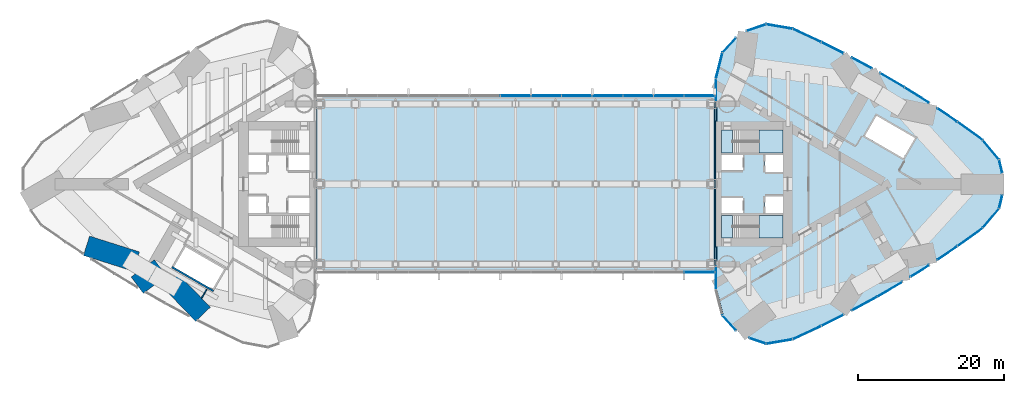
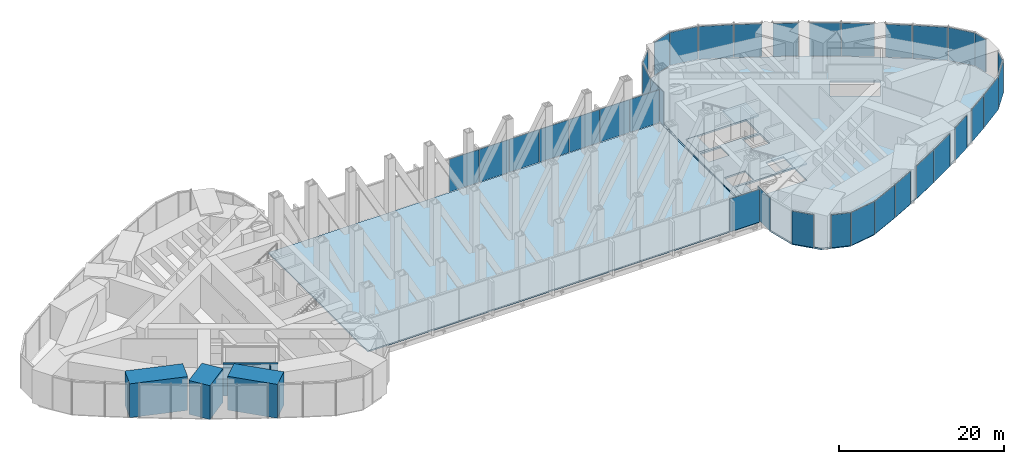
# One storey, part 15 of 21: 36 plates, 6 slabs, 5 walls, 14 elements without a shape of their own.
"""IFC4 building model written with IfcOpenShell, lengths in metres."""

from ifc_helpers import new_model, si_unit, direction, frame, frame_2d, origin, origin_2d, place, context, subcontext, project, spatial, polyline, rectangle, outline, extrude, material, layer, layer_set, type_object, element, aggregate, save


model = new_model("IFC4")

# Units and contexts
model_context = context("Model", 3, precision=1e-05, world=origin(), true_north=direction((0.0, 1.0)))
body_context = subcontext(model_context, "Body", "Model", "MODEL_VIEW")
ifc_project = project(units=[si_unit("LENGTHUNIT", "METRE"), si_unit("AREAUNIT", "SQUARE_METRE"), si_unit("VOLUMEUNIT", "CUBIC_METRE"), si_unit("PLANEANGLEUNIT", "RADIAN"), si_unit("MASSUNIT", "GRAM", prefix="KILO")], contexts=[model_context])

# Site, building, storey
site_placement = place(None, origin())
site = spatial("IfcSite", under=ifc_project, at=site_placement, CompositionType="ELEMENT")
building_placement = place(site_placement, origin())
building = spatial("IfcBuilding", under=site, at=building_placement, Name="Lancet Gate Hotel", CompositionType="ELEMENT")
storey_placement = place(building_placement, frame((0.0, 0.0, 205.300048828125)))
storey = spatial("IfcBuildingStorey", under=building, at=storey_placement, Name="L55", CompositionType="ELEMENT", Elevation=205.300048828125)

# Slabs
ifc_material_1 = material(Name="Concrete C40/50", Category="concrete")
ifc_layer_1 = layer(ifc_material_1, 0.199951171875)
ifc_layer_set_1 = layer_set([ifc_layer_1], Name="Composite floor slab 200")
slab_type_1 = type_object("IfcSlabType", Name="Composite floor slab 200", PredefinedType="FLOOR", material=ifc_layer_set_1)
slab_1_placement = place(storey_placement, frame((0.0, 0.0, -0.199951171875)))
element("IfcSlab", 1, at=slab_1_placement, inside=storey, type_object=slab_type_1, Name="Bridge block L55 floor slab", PredefinedType="FLOOR", context=body_context, shape_type="SweptSolid", body=[
    extrude(outline(polyline([(27.35009765625, -12.0), (27.35009765625, 12.0), (-27.35009765625, 12.0), (-27.35009765625, -12.0), (27.35009765625, -12.0)])), origin(), (0.0, 0.0, 1.0), 0.199951171875),
])
ifc_material_2 = material(Name="Concrete C50/60", Category="concrete")
ifc_layer_2 = layer(ifc_material_2, 0.25)
ifc_layer_set_2 = layer_set([ifc_layer_2], Name="Floor slab 250")
slab_type_2 = type_object("IfcSlabType", Name="Floor slab 250", PredefinedType="FLOOR", material=ifc_layer_set_2)
slab_2_placement = place(storey_placement, frame((0.0, 0.0, -0.25)))
element("IfcSlab", 2, at=slab_2_placement, inside=storey, type_object=slab_type_2, Name="T2 L55 floor slab", PredefinedType="FLOOR", context=body_context, shape_type="SweptSolid", body=[
    extrude(outline(polyline([(27.5, -8.60009765625), (27.6201171875, -8.60009765625), (27.6201171875, -14.450439453125), (28.517822265625, -17.9853515625), (30.98291015625, -20.65185546875), (34.421875, -21.819091796875), (38.01513671875, -21.201171875), (41.9296875, -19.383056640625), (45.796875, -17.435302734375), (49.6005859375, -15.36572265625), (53.336669921875, -13.1767578125), (57.00146484375, -10.87060546875), (60.591552734375, -8.44921875), (64.092041015625, -5.9228515625), (66.283447265625, -3.307373046875), (67.06640625, 0.0), (66.283447265625, 3.307373046875), (64.092041015625, 5.9228515625), (60.591552734375, 8.44921875), (57.00146484375, 10.87060546875), (53.336669921875, 13.1767578125), (49.6005859375, 15.36572265625), (45.796875, 17.435302734375), (41.9296875, 19.383056640625), (38.01513671875, 21.201171875), (34.421875, 21.819091796875), (30.98291015625, 20.65185546875), (28.517822265625, 17.9853515625), (27.6201171875, 14.450439453125), (27.6201171875, 8.60009765625), (27.5, 8.60009765625), (27.5, 8.199951171875), (27.5, -8.199951171875), (27.5, -8.60009765625)]), holes=[polyline([(36.699951171875, -7.39990234375), (36.699951171875, -4.300048828125), (28.300048828125, -4.300048828125), (28.300048828125, -7.39990234375), (36.699951171875, -7.39990234375)]), polyline([(28.300048828125, -4.0), (31.199951171875, -4.0), (31.199951171875, -1.89990234375), (28.300048828125, -1.89990234375), (28.300048828125, -4.0)]), polyline([(34.25, -4.0), (36.699951171875, -4.0), (36.699951171875, -1.64990234375), (34.25, -1.64990234375), (34.25, -4.0)]), polyline([(36.699951171875, 1.64990234375), (36.699951171875, 4.0), (34.25, 4.0), (34.25, 1.64990234375), (36.699951171875, 1.64990234375)]), polyline([(28.300048828125, 1.89990234375), (31.199951171875, 1.89990234375), (31.199951171875, 4.0), (28.300048828125, 4.0), (28.300048828125, 1.89990234375)]), polyline([(28.300048828125, 4.300048828125), (36.699951171875, 4.300048828125), (36.699951171875, 7.39990234375), (28.300048828125, 7.39990234375), (28.300048828125, 4.300048828125)]), polyline([(53.242919921875, 3.555908203125), (54.843017578125, 6.326904296875), (49.56103515625, 9.376953125), (47.9609375, 6.60595703125), (53.242919921875, 3.555908203125)])]), origin(), (0.0, 0.0, 1.0), 0.25),
])

# Curtain wall, plates
ifc_material_3 = material(Name="Aluminium curtain wall", Category="aluminium")
curtain_wall_type = type_object("IfcCurtainWallType", Name="Refuge storey louvred curtain wall", PredefinedType="USERDEFINED", material=ifc_material_3)
curtain_wall_1_placement = place(storey_placement, origin())
curtain_wall_1 = element("IfcCurtainWall", 3, at=curtain_wall_1_placement, inside=storey, type_object=curtain_wall_type, Name="T2 L55 curtain wall 1", ObjectType="LANTERN GLAZING", PredefinedType="USERDEFINED")
ifc_material_4 = material(Name="Aluminium weather louvre 100 deep", Category="aluminium")
ifc_layer_3 = layer(ifc_material_4, 0.10009765625)
ifc_layer_set_3 = layer_set([ifc_layer_3], Name="Louvre panel")
plate_type_1 = type_object("IfcPlateType", Name="Louvre panel", PredefinedType="CURTAIN_PANEL", material=ifc_layer_set_3)
plate_1_placement = place(storey_placement, frame((27.5, -12.899169921875, 0.0), z_axis=(0.0, 0.0, 1.0), x_axis=(0.0, -1.0, 0.0)))
plate_1 = element("IfcPlate", 4, at=plate_1_placement, type_object=plate_type_1, Name="T2 L55 curtain wall 1 panel 1", PredefinedType="CURTAIN_PANEL", context=body_context, shape_type="SweptSolid", body=[
    extrude(rectangle(XDim=3.06787109375, YDim=0.10009765625, at=origin_2d()), origin(), (0.0, 0.0, 1.0), 4.85009765625),
])
plate_2_placement = place(storey_placement, frame((29.359130859375, -19.072265625, 0.0), z_axis=(0.0, 0.0, 1.0), x_axis=(0.67883123083, -0.734294327943, 0.0)))
plate_2 = element("IfcPlate", 5, at=plate_2_placement, type_object=plate_type_1, Name="T2 L55 curtain wall 1 panel 3", PredefinedType="CURTAIN_PANEL", context=body_context, shape_type="SweptSolid", body=[
    extrude(rectangle(XDim=2.734375, YDim=0.10009765625, at=origin_2d()), origin(), (0.0, 0.0, 1.0), 4.85009765625),
])
aggregate(curtain_wall_1, [plate_1, plate_2])

curtain_wall_2_placement = place(storey_placement, origin())
curtain_wall_2 = element("IfcCurtainWall", 6, at=curtain_wall_2_placement, inside=storey, type_object=curtain_wall_type, Name="T2 L55 curtain wall 2", ObjectType="LANTERN GLAZING", PredefinedType="USERDEFINED")
plate_3_placement = place(storey_placement, frame((33.227294921875, -21.540283203125, 0.0), z_axis=(0.0, 0.0, 1.0), x_axis=(0.946952368511, -0.321373943827, 0.0)))
plate_3 = element("IfcPlate", 7, at=plate_3_placement, type_object=plate_type_1, Name="T2 L55 curtain wall 2 panel 1", PredefinedType="CURTAIN_PANEL", context=body_context, shape_type="SweptSolid", body=[
    extrude(rectangle(XDim=2.4375, YDim=0.10009765625, at=origin_2d()), origin(), (0.0, 0.0, 1.0), 4.85009765625),
])
plate_4_placement = place(storey_placement, frame((36.231689453125, -21.629638671875, 0.0), z_axis=(0.0, 0.0, 1.0), x_axis=(0.985539649572, 0.169444973729, 0.0)))
plate_4 = element("IfcPlate", 8, at=plate_4_placement, type_object=plate_type_1, Name="T2 L55 curtain wall 2 panel 2", PredefinedType="CURTAIN_PANEL", context=body_context, shape_type="SweptSolid", body=[
    extrude(rectangle(XDim=3.62744140625, YDim=0.10009765625, at=origin_2d()), origin(), (0.0, 0.0, 1.0), 4.85009765625),
])
plate_5_placement = place(storey_placement, frame((40.0166015625, -20.40380859375, 0.0), z_axis=(0.0, 0.0, 1.0), x_axis=(0.906934888522, 0.421270824982, 0.0)))
plate_5 = element("IfcPlate", 9, at=plate_5_placement, type_object=plate_type_1, Name="T2 L55 curtain wall 2 panel 3", PredefinedType="CURTAIN_PANEL", context=body_context, shape_type="SweptSolid", body=[
    extrude(rectangle(XDim=4.26904296875, YDim=0.10009765625, at=origin_2d()), origin(), (0.0, 0.0, 1.0), 4.85009765625),
])
plate_6_placement = place(storey_placement, frame((43.51318359375, -18.7197265625, 0.0), z_axis=(0.0, 0.0, 1.0), x_axis=(0.893121465596, 0.449815570752, 0.0)))
plate_6 = element("IfcPlate", 10, at=plate_6_placement, type_object=plate_type_1, Name="T2 L55 curtain wall 2 panel 4", PredefinedType="CURTAIN_PANEL", context=body_context, shape_type="SweptSolid", body=[
    extrude(rectangle(XDim=3.364013671875, YDim=0.10009765625, at=origin_2d()), origin(), (0.0, 0.0, 1.0), 4.85009765625),
])
aggregate(curtain_wall_2, [plate_3, plate_4, plate_5, plate_6])

curtain_wall_3_placement = place(storey_placement, origin())
curtain_wall_3 = element("IfcCurtainWall", 11, at=curtain_wall_3_placement, inside=storey, type_object=curtain_wall_type, Name="T2 L55 curtain wall 3", ObjectType="LANTERN GLAZING", PredefinedType="USERDEFINED")
plate_7_placement = place(storey_placement, frame((47.9228515625, -16.415283203125, 0.0), z_axis=(0.0, 0.0, 1.0), x_axis=(0.878409907967, 0.477907976063, 0.0)))
plate_7 = element("IfcPlate", 12, at=plate_7_placement, type_object=plate_type_1, Name="T2 L55 curtain wall 3 panel 1", PredefinedType="CURTAIN_PANEL", context=body_context, shape_type="SweptSolid", body=[
    extrude(rectangle(XDim=3.88916015625, YDim=0.10009765625, at=origin_2d()), origin(), (0.0, 0.0, 1.0), 4.85009765625),
])
plate_8_placement = place(storey_placement, frame((51.387451171875, -14.4580078125, 0.0), z_axis=(0.0, 0.0, 1.0), x_axis=(0.862815009772, 0.505519790822, 0.0)))
plate_8 = element("IfcPlate", 13, at=plate_8_placement, type_object=plate_type_1, Name="T2 L55 curtain wall 3 panel 2", PredefinedType="CURTAIN_PANEL", context=body_context, shape_type="SweptSolid", body=[
    extrude(rectangle(XDim=3.93994140625, YDim=0.10009765625, at=origin_2d()), origin(), (0.0, 0.0, 1.0), 4.85009765625),
])
aggregate(curtain_wall_3, [plate_7, plate_8])

# Curtain wall, plate
curtain_wall_4_placement = place(storey_placement, origin())
curtain_wall_4 = element("IfcCurtainWall", 14, at=curtain_wall_4_placement, inside=storey, type_object=curtain_wall_type, Name="T2 L55 curtain wall 4", ObjectType="LANTERN GLAZING", PredefinedType="USERDEFINED")
plate_9_placement = place(storey_placement, frame((55.51806640625, -11.946044921875, 0.0), z_axis=(0.0, 0.0, 1.0), x_axis=(0.846352453444, 0.532623248225, 0.0)))
plate_9 = element("IfcPlate", 15, at=plate_9_placement, type_object=plate_type_1, Name="T2 L55 curtain wall 4 panel 1", PredefinedType="CURTAIN_PANEL", context=body_context, shape_type="SweptSolid", body=[
    extrude(rectangle(XDim=3.002197265625, YDim=0.10009765625, at=origin_2d()), origin(), (0.0, 0.0, 1.0), 4.85009765625),
])
aggregate(curtain_wall_4, [plate_9])

# Curtain wall, plates
curtain_wall_5_placement = place(storey_placement, origin())
curtain_wall_5 = element("IfcCurtainWall", 16, at=curtain_wall_5_placement, inside=storey, type_object=curtain_wall_type, Name="T2 L55 curtain wall 5", ObjectType="LANTERN GLAZING", PredefinedType="USERDEFINED")
plate_10_placement = place(storey_placement, frame((59.283447265625, -9.47607421875, 0.0), z_axis=(0.0, 0.0, 1.0), x_axis=(0.829038793948, 0.559191092677, 0.0)))
plate_10 = element("IfcPlate", 17, at=plate_10_placement, type_object=plate_type_1, Name="T2 L55 curtain wall 5 panel 1", PredefinedType="CURTAIN_PANEL", context=body_context, shape_type="SweptSolid", body=[
    extrude(rectangle(XDim=3.256103515625, YDim=0.10009765625, at=origin_2d()), origin(), (0.0, 0.0, 1.0), 4.85009765625),
])
plate_11_placement = place(storey_placement, frame((62.417236328125, -7.279541015625, 0.0), z_axis=(0.0, 0.0, 1.0), x_axis=(0.810891442127, 0.585196607206, 0.0)))
plate_11 = element("IfcPlate", 18, at=plate_11_placement, type_object=plate_type_1, Name="T2 L55 curtain wall 5 panel 2", PredefinedType="CURTAIN_PANEL", context=body_context, shape_type="SweptSolid", body=[
    extrude(rectangle(XDim=4.26904296875, YDim=0.10009765625, at=origin_2d()), origin(), (0.0, 0.0, 1.0), 4.85009765625),
])
plate_12_placement = place(storey_placement, frame((65.283935546875, -4.68701171875, 0.0), z_axis=(0.0, 0.0, 1.0), x_axis=(0.642198636854, 0.766538264422, 0.0)))
plate_12 = element("IfcPlate", 19, at=plate_12_placement, type_object=plate_type_1, Name="T2 L55 curtain wall 5 panel 3", PredefinedType="CURTAIN_PANEL", context=body_context, shape_type="SweptSolid", body=[
    extrude(rectangle(XDim=3.390380859375, YDim=0.10009765625, at=origin_2d()), origin(), (0.0, 0.0, 1.0), 4.85009765625),
])
plate_13_placement = place(storey_placement, frame((66.616455078125, -2.42138671875, 0.0), z_axis=(0.0, 0.0, 1.0), x_axis=(0.230366568544, 0.973103922558, 0.0)))
plate_13 = element("IfcPlate", 20, at=plate_13_placement, type_object=plate_type_1, Name="T2 L55 curtain wall 5 panel 4", PredefinedType="CURTAIN_PANEL", context=body_context, shape_type="SweptSolid", body=[
    extrude(rectangle(XDim=1.869140625, YDim=0.10009765625, at=origin_2d()), origin(), (0.0, 0.0, 1.0), 4.85009765625),
])
aggregate(curtain_wall_5, [plate_10, plate_11, plate_12, plate_13])

curtain_wall_6_placement = place(storey_placement, origin())
curtain_wall_6 = element("IfcCurtainWall", 21, at=curtain_wall_6_placement, inside=storey, type_object=curtain_wall_type, Name="T2 L55 curtain wall 6", ObjectType="LANTERN GLAZING", PredefinedType="USERDEFINED")
plate_14_placement = place(storey_placement, frame((66.616455078125, 2.42138671875, 0.0), z_axis=(0.0, 0.0, 1.0), x_axis=(-0.230366568544, 0.973103922558, 0.0)))
plate_14 = element("IfcPlate", 22, at=plate_14_placement, type_object=plate_type_1, Name="T2 L55 curtain wall 6 panel 1", PredefinedType="CURTAIN_PANEL", context=body_context, shape_type="SweptSolid", body=[
    extrude(rectangle(XDim=1.869140625, YDim=0.10009765625, at=origin_2d()), origin(), (0.0, 0.0, 1.0), 4.85009765625),
])
plate_15_placement = place(storey_placement, frame((65.283935546875, 4.68701171875, 0.0), z_axis=(0.0, 0.0, 1.0), x_axis=(-0.642198636854, 0.766538264422, 0.0)))
plate_15 = element("IfcPlate", 23, at=plate_15_placement, type_object=plate_type_1, Name="T2 L55 curtain wall 6 panel 2", PredefinedType="CURTAIN_PANEL", context=body_context, shape_type="SweptSolid", body=[
    extrude(rectangle(XDim=3.390380859375, YDim=0.10009765625, at=origin_2d()), origin(), (0.0, 0.0, 1.0), 4.85009765625),
])
plate_16_placement = place(storey_placement, frame((62.417236328125, 7.279541015625, 0.0), z_axis=(0.0, 0.0, 1.0), x_axis=(-0.810891442127, 0.585196607206, 0.0)))
plate_16 = element("IfcPlate", 24, at=plate_16_placement, type_object=plate_type_1, Name="T2 L55 curtain wall 6 panel 3", PredefinedType="CURTAIN_PANEL", context=body_context, shape_type="SweptSolid", body=[
    extrude(rectangle(XDim=4.26904296875, YDim=0.10009765625, at=origin_2d()), origin(), (0.0, 0.0, 1.0), 4.85009765625),
])
plate_17_placement = place(storey_placement, frame((59.283447265625, 9.47607421875, 0.0), z_axis=(0.0, 0.0, 1.0), x_axis=(-0.829038793948, 0.559191092677, 0.0)))
plate_17 = element("IfcPlate", 25, at=plate_17_placement, type_object=plate_type_1, Name="T2 L55 curtain wall 6 panel 4", PredefinedType="CURTAIN_PANEL", context=body_context, shape_type="SweptSolid", body=[
    extrude(rectangle(XDim=3.256103515625, YDim=0.10009765625, at=origin_2d()), origin(), (0.0, 0.0, 1.0), 4.85009765625),
])
aggregate(curtain_wall_6, [plate_14, plate_15, plate_16, plate_17])

curtain_wall_7_placement = place(storey_placement, origin())
curtain_wall_7 = element("IfcCurtainWall", 26, at=curtain_wall_7_placement, inside=storey, type_object=curtain_wall_type, Name="T2 L55 curtain wall 7", ObjectType="LANTERN GLAZING", PredefinedType="USERDEFINED")
plate_18_placement = place(storey_placement, frame((55.107421875, 12.204345703125, 0.0), z_axis=(0.0, 0.0, 1.0), x_axis=(-0.846352453444, 0.532623248225, 0.0)))
plate_18 = element("IfcPlate", 27, at=plate_18_placement, type_object=plate_type_1, Name="T2 L55 curtain wall 7 panel 1", PredefinedType="CURTAIN_PANEL", context=body_context, shape_type="SweptSolid", body=[
    extrude(rectangle(XDim=3.97216796875, YDim=0.10009765625, at=origin_2d()), origin(), (0.0, 0.0, 1.0), 4.85009765625),
])
plate_19_placement = place(storey_placement, frame((51.726318359375, 14.259521484375, 0.0), z_axis=(0.0, 0.0, 1.0), x_axis=(-0.862815009772, 0.505519790822, 0.0)))
plate_19 = element("IfcPlate", 28, at=plate_19_placement, type_object=plate_type_1, Name="T2 L55 curtain wall 7 panel 2", PredefinedType="CURTAIN_PANEL", context=body_context, shape_type="SweptSolid", body=[
    extrude(rectangle(XDim=3.8125, YDim=0.10009765625, at=origin_2d()), origin(), (0.0, 0.0, 1.0), 4.85009765625),
])
aggregate(curtain_wall_7, [plate_18, plate_19])

# Curtain wall, plate
curtain_wall_8_placement = place(storey_placement, origin())
curtain_wall_8 = element("IfcCurtainWall", 29, at=curtain_wall_8_placement, inside=storey, type_object=curtain_wall_type, Name="T2 L55 curtain wall 8", ObjectType="LANTERN GLAZING", PredefinedType="USERDEFINED")
plate_20_placement = place(storey_placement, frame((47.56640625, 16.609130859375, 0.0), z_axis=(0.0, 0.0, 1.0), x_axis=(-0.878409907967, 0.477907976063, 0.0)))
plate_20 = element("IfcPlate", 30, at=plate_20_placement, type_object=plate_type_1, Name="T2 L55 curtain wall 8 panel 1", PredefinedType="CURTAIN_PANEL", context=body_context, shape_type="SweptSolid", body=[
    extrude(rectangle(XDim=3.077392578125, YDim=0.10009765625, at=origin_2d()), origin(), (0.0, 0.0, 1.0), 4.85009765625),
])
aggregate(curtain_wall_8, [plate_20])

# Curtain wall, plates
curtain_wall_9_placement = place(storey_placement, origin())
curtain_wall_9 = element("IfcCurtainWall", 31, at=curtain_wall_9_placement, inside=storey, type_object=curtain_wall_type, Name="T2 L55 curtain wall 9", ObjectType="LANTERN GLAZING", PredefinedType="USERDEFINED")
plate_21_placement = place(storey_placement, frame((43.51318359375, 18.7197265625, 0.0), z_axis=(0.0, 0.0, 1.0), x_axis=(-0.893121465596, 0.449815570752, 0.0)))
plate_21 = element("IfcPlate", 32, at=plate_21_placement, type_object=plate_type_1, Name="T2 L55 curtain wall 9 panel 1", PredefinedType="CURTAIN_PANEL", context=body_context, shape_type="SweptSolid", body=[
    extrude(rectangle(XDim=3.364013671875, YDim=0.10009765625, at=origin_2d()), origin(), (0.0, 0.0, 1.0), 4.85009765625),
])
plate_22_placement = place(storey_placement, frame((40.0166015625, 20.40380859375, 0.0), z_axis=(0.0, 0.0, 1.0), x_axis=(-0.906934888522, 0.421270824982, 0.0)))
plate_22 = element("IfcPlate", 33, at=plate_22_placement, type_object=plate_type_1, Name="T2 L55 curtain wall 9 panel 2", PredefinedType="CURTAIN_PANEL", context=body_context, shape_type="SweptSolid", body=[
    extrude(rectangle(XDim=4.26904296875, YDim=0.10009765625, at=origin_2d()), origin(), (0.0, 0.0, 1.0), 4.85009765625),
])
plate_23_placement = place(storey_placement, frame((36.231689453125, 21.629638671875, 0.0), z_axis=(0.0, 0.0, 1.0), x_axis=(-0.985539649572, 0.169444973729, 0.0)))
plate_23 = element("IfcPlate", 34, at=plate_23_placement, type_object=plate_type_1, Name="T2 L55 curtain wall 9 panel 3", PredefinedType="CURTAIN_PANEL", context=body_context, shape_type="SweptSolid", body=[
    extrude(rectangle(XDim=3.62744140625, YDim=0.10009765625, at=origin_2d()), origin(), (0.0, 0.0, 1.0), 4.85009765625),
])
plate_24_placement = place(storey_placement, frame((33.05908203125, 21.483154296875, 0.0), z_axis=(0.0, 0.0, 1.0), x_axis=(-0.946952368511, -0.321373943827, 0.0)))
plate_24 = element("IfcPlate", 35, at=plate_24_placement, type_object=plate_type_1, Name="T2 L55 curtain wall 9 panel 4", PredefinedType="CURTAIN_PANEL", context=body_context, shape_type="SweptSolid", body=[
    extrude(rectangle(XDim=2.79296875, YDim=0.10009765625, at=origin_2d()), origin(), (0.0, 0.0, 1.0), 4.85009765625),
])
aggregate(curtain_wall_9, [plate_21, plate_22, plate_23, plate_24])

curtain_wall_10_placement = place(storey_placement, origin())
curtain_wall_10 = element("IfcCurtainWall", 36, at=curtain_wall_10_placement, inside=storey, type_object=curtain_wall_type, Name="T2 L55 curtain wall 10", ObjectType="LANTERN GLAZING", PredefinedType="USERDEFINED")
plate_25_placement = place(storey_placement, frame((29.349365234375, 19.0615234375, 0.0), z_axis=(0.0, 0.0, 1.0), x_axis=(-0.67883123083, -0.734294327943, 0.0)))
plate_25 = element("IfcPlate", 37, at=plate_25_placement, type_object=plate_type_1, Name="T2 L55 curtain wall 10 panel 1", PredefinedType="CURTAIN_PANEL", context=body_context, shape_type="SweptSolid", body=[
    extrude(rectangle(XDim=2.705322265625, YDim=0.10009765625, at=origin_2d()), origin(), (0.0, 0.0, 1.0), 4.85009765625),
])
plate_26_placement = place(storey_placement, frame((27.95458984375, 16.2548828125, 0.0), z_axis=(0.0, 0.0, 1.0), x_axis=(-0.246166705764, -0.969227503207, 0.0)))
plate_26 = element("IfcPlate", 38, at=plate_26_placement, type_object=plate_type_1, Name="T2 L55 curtain wall 10 panel 2", PredefinedType="CURTAIN_PANEL", context=body_context, shape_type="SweptSolid", body=[
    extrude(rectangle(XDim=3.62744140625, YDim=0.10009765625, at=origin_2d()), origin(), (0.0, 0.0, 1.0), 4.85009765625),
])
plate_27_placement = place(storey_placement, frame((27.5, 12.899169921875, 0.0), z_axis=(0.0, 0.0, 1.0), x_axis=(0.0, -1.0, 0.0)))
plate_27 = element("IfcPlate", 39, at=plate_27_placement, type_object=plate_type_1, Name="T2 L55 curtain wall 10 panel 3", PredefinedType="CURTAIN_PANEL", context=body_context, shape_type="SweptSolid", body=[
    extrude(rectangle(XDim=3.06787109375, YDim=0.10009765625, at=origin_2d()), origin(), (0.0, 0.0, 1.0), 4.85009765625),
])
aggregate(curtain_wall_10, [plate_25, plate_26, plate_27])

# Curtain wall, plate
curtain_wall_11_placement = place(storey_placement, origin())
curtain_wall_11 = element("IfcCurtainWall", 40, at=curtain_wall_11_placement, inside=storey, type_object=curtain_wall_type, Name="Bridge block L55 curtain wall S", ObjectType="LANTERN GLAZING", PredefinedType="USERDEFINED")
plate_28_placement = place(storey_placement, frame((25.24609375, -12.1201171875, 0.0), z_axis=(0.0, 0.0, 1.0), x_axis=(1.0, 0.0, 0.0)))
plate_28 = element("IfcPlate", 41, at=plate_28_placement, type_object=plate_type_1, Name="Bridge block L55 curtain wall S panel 13", PredefinedType="CURTAIN_PANEL", context=body_context, shape_type="SweptSolid", body=[
    extrude(rectangle(XDim=4.142578125, YDim=0.10009765625, at=origin_2d()), origin(), (0.0, 0.0, 1.0), 4.85009765625),
])
aggregate(curtain_wall_11, [plate_28])

# Curtain wall, plates
curtain_wall_12_placement = place(storey_placement, origin())
curtain_wall_12 = element("IfcCurtainWall", 42, at=curtain_wall_12_placement, inside=storey, type_object=curtain_wall_type, Name="Bridge block L55 curtain wall N", ObjectType="LANTERN GLAZING", PredefinedType="USERDEFINED")
plate_29_placement = place(storey_placement, frame((25.24609375, 12.1201171875, 0.0), z_axis=(0.0, 0.0, 1.0), x_axis=(-1.0, 0.0, 0.0)))
plate_29 = element("IfcPlate", 43, at=plate_29_placement, type_object=plate_type_1, Name="Bridge block L55 curtain wall N panel 1", PredefinedType="CURTAIN_PANEL", context=body_context, shape_type="SweptSolid", body=[
    extrude(rectangle(XDim=4.142578125, YDim=0.10009765625, at=origin_2d()), origin(), (0.0, 0.0, 1.0), 4.85009765625),
])
plate_30_placement = place(storey_placement, frame((21.03857421875, 12.1201171875, 0.0), z_axis=(0.0, 0.0, 1.0), x_axis=(-1.0, 0.0, 0.0)))
plate_30 = element("IfcPlate", 44, at=plate_30_placement, type_object=plate_type_1, Name="Bridge block L55 curtain wall N panel 2", PredefinedType="CURTAIN_PANEL", context=body_context, shape_type="SweptSolid", body=[
    extrude(rectangle(XDim=4.142578125, YDim=0.10009765625, at=origin_2d()), origin(), (0.0, 0.0, 1.0), 4.85009765625),
])
plate_31_placement = place(storey_placement, frame((16.830810546875, 12.1201171875, 0.0), z_axis=(0.0, 0.0, 1.0), x_axis=(-1.0, 0.0, 0.0)))
plate_31 = element("IfcPlate", 45, at=plate_31_placement, type_object=plate_type_1, Name="Bridge block L55 curtain wall N panel 3", PredefinedType="CURTAIN_PANEL", context=body_context, shape_type="SweptSolid", body=[
    extrude(rectangle(XDim=4.142578125, YDim=0.10009765625, at=origin_2d()), origin(), (0.0, 0.0, 1.0), 4.85009765625),
])
plate_32_placement = place(storey_placement, frame((12.623046875, 12.1201171875, 0.0), z_axis=(0.0, 0.0, 1.0), x_axis=(-1.0, 0.0, 0.0)))
plate_32 = element("IfcPlate", 46, at=plate_32_placement, type_object=plate_type_1, Name="Bridge block L55 curtain wall N panel 4", PredefinedType="CURTAIN_PANEL", context=body_context, shape_type="SweptSolid", body=[
    extrude(rectangle(XDim=4.142578125, YDim=0.10009765625, at=origin_2d()), origin(), (0.0, 0.0, 1.0), 4.85009765625),
])
plate_33_placement = place(storey_placement, frame((8.415283203125, 12.1201171875, 0.0), z_axis=(0.0, 0.0, 1.0), x_axis=(-1.0, 0.0, 0.0)))
plate_33 = element("IfcPlate", 47, at=plate_33_placement, type_object=plate_type_1, Name="Bridge block L55 curtain wall N panel 5", PredefinedType="CURTAIN_PANEL", context=body_context, shape_type="SweptSolid", body=[
    extrude(rectangle(XDim=4.142578125, YDim=0.10009765625, at=origin_2d()), origin(), (0.0, 0.0, 1.0), 4.85009765625),
])
plate_34_placement = place(storey_placement, frame((4.207763671875, 12.1201171875, 0.0), z_axis=(0.0, 0.0, 1.0), x_axis=(-1.0, 0.0, 0.0)))
plate_34 = element("IfcPlate", 48, at=plate_34_placement, type_object=plate_type_1, Name="Bridge block L55 curtain wall N panel 6", PredefinedType="CURTAIN_PANEL", context=body_context, shape_type="SweptSolid", body=[
    extrude(rectangle(XDim=4.142578125, YDim=0.10009765625, at=origin_2d()), origin(), (0.0, 0.0, 1.0), 4.85009765625),
])
plate_35_placement = place(storey_placement, frame((0.0, 12.1201171875, 0.0), z_axis=(0.0, 0.0, 1.0), x_axis=(-1.0, 0.0, 0.0)))
plate_35 = element("IfcPlate", 49, at=plate_35_placement, type_object=plate_type_1, Name="Bridge block L55 curtain wall N panel 7", PredefinedType="CURTAIN_PANEL", context=body_context, shape_type="SweptSolid", body=[
    extrude(rectangle(XDim=4.142578125, YDim=0.10009765625, at=origin_2d()), origin(), (0.0, 0.0, 1.0), 4.85009765625),
])
aggregate(curtain_wall_12, [plate_29, plate_30, plate_31, plate_32, plate_33, plate_34, plate_35])

# Plate
ifc_material_5 = material(Name="Aluminium chequer plate", Category="aluminium")
ifc_layer_4 = layer(ifc_material_5, 0.014892578125)
ifc_layer_set_4 = layer_set([ifc_layer_4], Name="Movement joint cover plate 15")
plate_type_2 = type_object("IfcPlateType", Name="Movement joint cover plate 15", PredefinedType="SHEET", material=ifc_layer_set_4)
plate_36_placement = place(storey_placement, frame((0.0, 0.0, -0.01513671875)))
element("IfcPlate", 50, at=plate_36_placement, inside=storey, type_object=plate_type_2, Name="Movement joint cover plate T2 L55", PredefinedType="SHEET", context=body_context, shape_type="SweptSolid", body=[
    extrude(outline(polyline([(27.35009765625, -12.0), (27.6201171875, -12.0), (27.6201171875, -8.60009765625), (27.5, -8.60009765625), (27.5, -8.199951171875), (27.5, 8.199951171875), (27.5, 8.60009765625), (27.6201171875, 8.60009765625), (27.6201171875, 12.0), (27.35009765625, 12.0), (27.35009765625, -12.0)])), origin(), (0.0, 0.0, 1.0), 0.01513671875),
])

# Stair, slabs
ifc_material_6 = material(Name="Exit stair 28 risers 1500")
stair_type = type_object("IfcStairType", Name="Exit stair 28 risers 1500", PredefinedType="HALF_TURN_STAIR", material=ifc_material_6)
stair_1_placement = place(storey_placement, origin())
stair_1 = element("IfcStair", 51, at=stair_1_placement, inside=storey, type_object=stair_type, Name="T2 stair 1 L55", PredefinedType="HALF_TURN_STAIR")
ifc_material_7 = material(Name="Concrete C40/50", Category="concrete")
ifc_layer_5 = layer(ifc_material_7, 0.199951171875)
ifc_layer_set_5 = layer_set([ifc_layer_5], Name="Stair landing 200")
slab_type_3 = type_object("IfcSlabType", Name="Stair landing 200", PredefinedType="LANDING", material=ifc_layer_set_5)
slab_3_placement = place(storey_placement, frame((0.0, 0.0, -0.199951171875)))
slab_3 = element("IfcSlab", 52, at=slab_3_placement, type_object=slab_type_3, Name="ST3 landing 1", PredefinedType="LANDING", context=body_context, shape_type="SweptSolid", body=[
    extrude(outline(polyline([(28.300048828125, -7.39990234375), (29.800048828125, -7.39990234375), (29.800048828125, -4.300048828125), (28.300048828125, -4.300048828125), (28.300048828125, -7.39990234375)])), origin(), (0.0, 0.0, 1.0), 0.199951171875),
])
slab_4_placement = place(storey_placement, frame((0.0, 0.0, 2.300048828125)))
slab_4 = element("IfcSlab", 53, at=slab_4_placement, type_object=slab_type_3, Name="ST3 landing 2", PredefinedType="LANDING", context=body_context, shape_type="SweptSolid", body=[
    extrude(outline(polyline([(33.43994140625, -7.39990234375), (36.699951171875, -7.39990234375), (36.699951171875, -4.300048828125), (33.43994140625, -4.300048828125), (33.43994140625, -7.39990234375)])), origin(), (0.0, 0.0, 1.0), 0.199951171875),
])
aggregate(stair_1, [slab_3, slab_4])

stair_2_placement = place(storey_placement, origin())
stair_2 = element("IfcStair", 54, at=stair_2_placement, inside=storey, type_object=stair_type, Name="T2 stair 2 L55", PredefinedType="HALF_TURN_STAIR")
slab_5_placement = place(storey_placement, frame((0.0, 0.0, -0.199951171875)))
slab_5 = element("IfcSlab", 55, at=slab_5_placement, type_object=slab_type_3, Name="ST4 landing 1", PredefinedType="LANDING", context=body_context, shape_type="SweptSolid", body=[
    extrude(outline(polyline([(28.300048828125, 4.300048828125), (29.800048828125, 4.300048828125), (29.800048828125, 7.39990234375), (28.300048828125, 7.39990234375), (28.300048828125, 4.300048828125)])), origin(), (0.0, 0.0, 1.0), 0.199951171875),
])
slab_6_placement = place(storey_placement, frame((0.0, 0.0, 2.300048828125)))
slab_6 = element("IfcSlab", 56, at=slab_6_placement, type_object=slab_type_3, Name="ST4 landing 2", PredefinedType="LANDING", context=body_context, shape_type="SweptSolid", body=[
    extrude(outline(polyline([(33.43994140625, 4.300048828125), (36.699951171875, 4.300048828125), (36.699951171875, 7.39990234375), (33.43994140625, 7.39990234375), (33.43994140625, 4.300048828125)])), origin(), (0.0, 0.0, 1.0), 0.199951171875),
])
aggregate(stair_2, [slab_5, slab_6])

# Walls
ifc_material_8 = material(Name="Gypsum board partition")
ifc_layer_6 = layer(ifc_material_8, 0.25)
ifc_layer_set_6 = layer_set([ifc_layer_6], Name="Lift shaft partition 250")
wall_type_1 = type_object("IfcWallType", Name="Lift shaft partition 250", PredefinedType="PARTITIONING", material=ifc_layer_set_6)
wall_1_placement = place(storey_placement, frame((-41.482421875, -14.685791015625, 0.0), z_axis=(0.0, 0.0, 1.0), x_axis=(-0.86603344179, 0.499986077507, 0.0)))
element("IfcWall", 57, at=wall_1_placement, inside=storey, type_object=wall_type_1, Name="T1 lift shaft wall HL L55", PredefinedType="PARTITIONING", context=body_context, shape_type="SweptSolid", body=[
    extrude(rectangle(XDim=6.600341796875, YDim=0.25, at=frame_2d((3.30029296875, 0.0))), origin(), (0.0, 0.0, 1.0), 4.75),
])
ifc_material_9 = material(Name="Gypsum board partition")
ifc_layer_7 = layer(ifc_material_9, 0.14990234375)
ifc_layer_set_7 = layer_set([ifc_layer_7], Name="Party wall 150")
wall_type_2 = type_object("IfcWallType", Name="Party wall 150", PredefinedType="PARTITIONING", material=ifc_layer_set_7)
wall_2_placement = place(storey_placement, frame((-42.429443359375, -14.45654296875, 0.0), z_axis=(0.0, 0.0, 1.0), x_axis=(-0.5000578829, -0.865991982497, 0.0)))
element("IfcWall", 58, at=wall_2_placement, inside=storey, type_object=wall_type_2, Name="T1 party wall 150 L55", PredefinedType="PARTITIONING", context=body_context, shape_type="SweptSolid", body=[
    extrude(rectangle(XDim=1.406982421875, YDim=0.14990234375, at=frame_2d((0.70361328125, 0.0))), origin(), (0.0, 0.0, 1.0), 4.75),
])
ifc_material_10 = material(Name="Concrete C80/95", Category="concrete")
ifc_layer_8 = layer(ifc_material_10, 2.800048828125)
ifc_layer_set_8 = layer_set([ifc_layer_8], Name="Radial transfer wall 2800")
wall_type_3 = type_object("IfcWallType", Name="Radial transfer wall 2800", PredefinedType="SHEAR", material=ifc_layer_set_8)
wall_3_placement = place(storey_placement, frame((-58.924072265625, -8.469970703125, 0.0), z_axis=(0.0, 0.0, 1.0), x_axis=(0.953237559777, -0.302222028698, 0.0)))
element("IfcWall", 59, at=wall_3_placement, inside=storey, type_object=wall_type_3, Name="T1 radial transfer wall ON1 L55", PredefinedType="SHEAR", context=body_context, shape_type="SweptSolid", body=[
    extrude(rectangle(XDim=7.187255859375, YDim=2.800048828125, at=frame_2d((3.59375, 0.0))), origin(), (0.0, 0.0, 1.0), 5.0),
])
wall_4_placement = place(storey_placement, frame((-51.963623046875, -13.876953125, 0.0), z_axis=(0.0, 0.0, 1.0), x_axis=(0.80337247009, 0.595476846151, 0.0)))
element("IfcWall", 60, at=wall_4_placement, inside=storey, type_object=wall_type_3, Name="T1 radial transfer wall ON2 L55", PredefinedType="SHEAR", context=body_context, shape_type="SweptSolid", body=[
    extrude(rectangle(XDim=3.98095703125, YDim=2.800048828125, at=frame_2d((1.990478515625, 0.0))), origin(), (0.0, 0.0, 1.0), 5.0),
])
wall_5_placement = place(storey_placement, frame((-42.9287109375, -17.879150390625, 0.0), z_axis=(0.0, 0.0, 1.0), x_axis=(-0.694103918888, 0.719874815356, 0.0)))
element("IfcWall", 61, at=wall_5_placement, inside=storey, type_object=wall_type_3, Name="T1 radial transfer wall ON3 L55", PredefinedType="SHEAR", context=body_context, shape_type="SweptSolid", body=[
    extrude(rectangle(XDim=6.281005859375, YDim=2.800048828125, at=frame_2d((3.140625, 0.0))), origin(), (0.0, 0.0, 1.0), 5.0),
])

save(model, "model.ifc")
